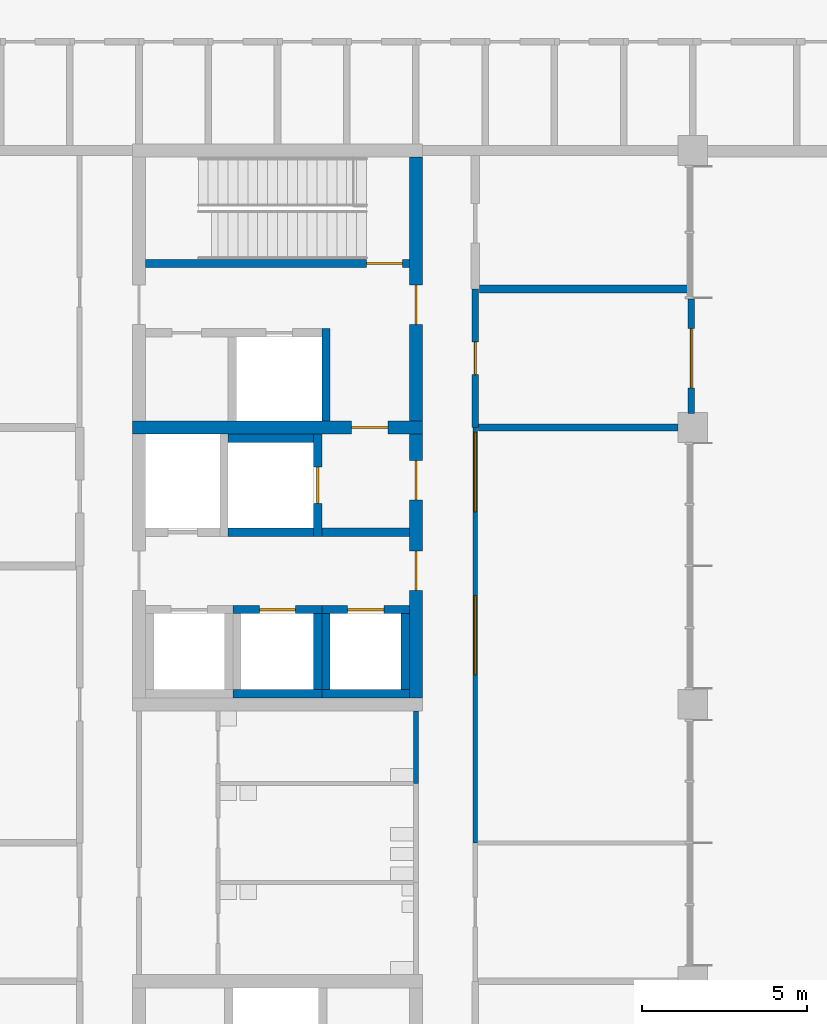
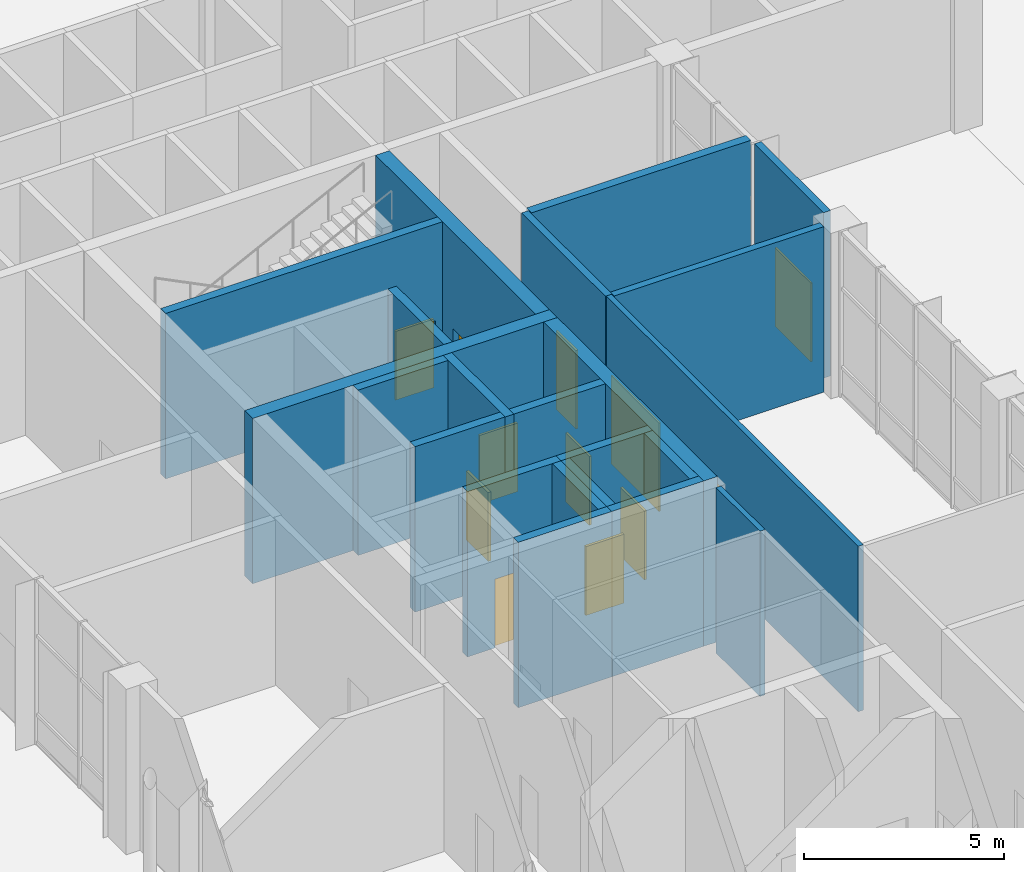
# One storey, part 43 of 76: 22 walls, 12 doors, 12 openings.
"""IFC4 building model written with IfcOpenShell, lengths in metres."""

from ifc_helpers import new_model, si_unit, direction, frame, frame_2d, origin, place, context, subcontext, project, spatial, rectangle, extrude, material, layer, layer_set, type_object, element, fill, save


model = new_model("IFC4")

# Units and contexts
model_context = context("Model", 3, precision=1e-05, world=origin(), true_north=direction((0.0, 1.0)))
body_context = subcontext(model_context, "Body", "Model", "MODEL_VIEW")
ifc_project = project(units=[si_unit("LENGTHUNIT", "METRE"), si_unit("AREAUNIT", "SQUARE_METRE"), si_unit("VOLUMEUNIT", "CUBIC_METRE"), si_unit("PLANEANGLEUNIT", "RADIAN"), si_unit("MASSUNIT", "GRAM", prefix="KILO")], contexts=[model_context])

# Site, building, storey
site_placement = place(None, origin())
site = spatial("IfcSite", under=ifc_project, at=site_placement, CompositionType="ELEMENT")
building_placement = place(site_placement, origin())
building = spatial("IfcBuilding", under=site, at=building_placement, Name="Hlaing Beacon Police Headquarters", CompositionType="ELEMENT")
storey_placement = place(building_placement, origin())
storey = spatial("IfcBuildingStorey", under=building, at=storey_placement, Name="L00", CompositionType="ELEMENT", Elevation=0.0)

# Wall, opening, door
ifc_material_1 = material(Name="Concrete C60/75", Category="concrete")
ifc_layer_1 = layer(ifc_material_1, 0.39990234375)
ifc_layer_set_1 = layer_set([ifc_layer_1], Name="Concrete C60/75")
wall_type_1 = type_object("IfcWallType", Name="Core shear wall 400", PredefinedType="SHEAR", material=ifc_layer_set_1)
wall_1_placement = place(storey_placement, frame((109.0, 58.800048828125, 0.0), z_axis=(0.0, 0.0, 1.0), x_axis=(1.0, 0.0, 0.0)))
wall_1 = element("IfcWall", 1, at=wall_1_placement, inside=storey, type_object=wall_type_1, Name="Core shear wall", PredefinedType="SHEAR", context=body_context, shape_type="SweptSolid", body=[
    extrude(rectangle(XDim=8.800048828125, YDim=0.39990234375, at=frame_2d((4.39990234375, 0.0))), origin(), (0.0, 0.0, 1.0), 5.050048828125),
])
opening_1_placement = place(wall_1_placement, frame((6.64990234375, 0.0, 0.0)))
opening_1 = element("IfcOpeningElement", 2, at=opening_1_placement, cuts=wall_1, Name="Opening L00-948", PredefinedType="OPENING", context=body_context, shape_type="SweptSolid", body=[
    extrude(rectangle(XDim=1.10009765625, YDim=2.10009765625, at=frame_2d((0.550048828125, 1.050048828125))), frame((0.0, 0.2099609375, 0.0), z_axis=(0.0, -1.0, 0.0), x_axis=(1.0, 0.0, 0.0)), (0.0, 0.0, 1.0), 0.419921875),
])
ifc_material_2 = material(Name="Steel fire door leaf", Category="steel")
ifc_layer_2 = layer(ifc_material_2, 0.070068359375)
ifc_layer_set_2 = layer_set([ifc_layer_2], Name="Steel fire door leaf")
door_type_1 = type_object("IfcDoorType", Name="Steel fire door FD60S 1100x2100", OperationType="SINGLE_SWING_LEFT", PredefinedType="DOOR", material=ifc_layer_set_2)
door_1_placement = place(opening_1_placement, origin())
door_1 = element("IfcDoor", 3, at=door_1_placement, inside=storey, type_object=door_type_1, Name="Door Firefighting Lobby Stair", OperationType="SINGLE_SWING_LEFT", OverallHeight=2.10009765625, OverallWidth=1.10009765625, PredefinedType="DOOR", context=body_context, shape_type="SweptSolid", body=[
    extrude(rectangle(XDim=1.10009765625, YDim=2.10009765625, at=frame_2d((0.550048828125, 1.050048828125))), frame((0.0, 0.03515625, 0.0), z_axis=(0.0, -1.0, 0.0), x_axis=(1.0, 0.0, 0.0)), (0.0, 0.0, 1.0), 0.070068359375),
])
fill(opening_1, door_1)

# Wall, openings, doors
wall_2_placement = place(storey_placement, frame((117.60009765625, 50.60009765625, 0.0), z_axis=(0.0, 0.0, 1.0), x_axis=(0.0, 1.0, 0.0)))
wall_2 = element("IfcWall", 4, at=wall_2_placement, inside=storey, type_object=wall_type_1, Name="Core shear wall", PredefinedType="SHEAR", context=body_context, shape_type="SweptSolid", body=[
    extrude(rectangle(XDim=8.0, YDim=0.39990234375, at=frame_2d((4.0, 0.0))), origin(), (0.0, 0.0, 1.0), 5.050048828125),
])
opening_2_placement = place(wall_2_placement, frame((3.25, 0.0, 0.0)))
opening_2 = element("IfcOpeningElement", 5, at=opening_2_placement, cuts=wall_2, Name="Opening L00-946", PredefinedType="OPENING", context=body_context, shape_type="SweptSolid", body=[
    extrude(rectangle(XDim=1.199951171875, YDim=2.10009765625, at=frame_2d((0.60009765625, 1.050048828125))), frame((0.0, 0.2099609375, 0.0), z_axis=(0.0, -1.0, 0.0), x_axis=(1.0, 0.0, 0.0)), (0.0, 0.0, 1.0), 0.419921875),
])
opening_3_placement = place(wall_2_placement, frame((6.0, 0.0, 0.0)))
opening_3 = element("IfcOpeningElement", 6, at=opening_3_placement, cuts=wall_2, Name="Opening L00-947", PredefinedType="OPENING", context=body_context, shape_type="SweptSolid", body=[
    extrude(rectangle(XDim=1.199951171875, YDim=2.10009765625, at=frame_2d((0.60009765625, 1.050048828125))), frame((0.0, 0.2099609375, 0.0), z_axis=(0.0, -1.0, 0.0), x_axis=(1.0, 0.0, 0.0)), (0.0, 0.0, 1.0), 0.419921875),
])
ifc_material_3 = material(Name="Steel fire door leaf", Category="steel")
ifc_layer_3 = layer(ifc_material_3, 0.070068359375)
ifc_layer_set_3 = layer_set([ifc_layer_3], Name="Steel fire door leaf")
door_type_2 = type_object("IfcDoorType", Name="Steel fire door FD60S 1200x2100", OperationType="SINGLE_SWING_LEFT", PredefinedType="DOOR", material=ifc_layer_set_3)
door_2_placement = place(opening_2_placement, origin())
door_2 = element("IfcDoor", 7, at=door_2_placement, inside=storey, type_object=door_type_2, Name="Door Lift Lobby Entry", OperationType="SINGLE_SWING_RIGHT", OverallHeight=2.10009765625, OverallWidth=1.199951171875, PredefinedType="DOOR", context=body_context, shape_type="SweptSolid", body=[
    extrude(rectangle(XDim=1.199951171875, YDim=2.10009765625, at=frame_2d((0.60009765625, 1.050048828125))), frame((0.0, 0.03515625, 0.0), z_axis=(0.0, -1.0, 0.0), x_axis=(1.0, 0.0, 0.0)), (0.0, 0.0, 1.0), 0.070068359375),
])
fill(opening_2, door_2)
door_3_placement = place(opening_3_placement, origin())
door_3 = element("IfcDoor", 8, at=door_3_placement, inside=storey, type_object=door_type_2, Name="Door Firefighting Lobby Entry", OperationType="SINGLE_SWING_LEFT", OverallHeight=2.10009765625, OverallWidth=1.199951171875, PredefinedType="DOOR", context=body_context, shape_type="SweptSolid", body=[
    extrude(rectangle(XDim=1.199951171875, YDim=2.10009765625, at=frame_2d((0.60009765625, 1.050048828125))), frame((0.0, 0.03515625, 0.0), z_axis=(0.0, -1.0, 0.0), x_axis=(1.0, 0.0, 0.0)), (0.0, 0.0, 1.0), 0.070068359375),
])
fill(opening_3, door_3)

# Wall, opening, door
wall_3_placement = place(storey_placement, frame((117.60009765625, 59.0, 0.0), z_axis=(0.0, 0.0, 1.0), x_axis=(0.0, 1.0, 0.0)))
wall_3 = element("IfcWall", 9, at=wall_3_placement, inside=storey, type_object=wall_type_1, Name="Core shear wall", PredefinedType="SHEAR", context=body_context, shape_type="SweptSolid", body=[
    extrude(rectangle(XDim=8.0, YDim=0.39990234375, at=frame_2d((4.0, 0.0))), origin(), (0.0, 0.0, 1.0), 5.050048828125),
])
opening_4_placement = place(wall_3_placement, frame((2.925048828125, 0.0, 0.0)))
opening_4 = element("IfcOpeningElement", 10, at=opening_4_placement, cuts=wall_3, Name="Opening L00-952", PredefinedType="OPENING", context=body_context, shape_type="SweptSolid", body=[
    extrude(rectangle(XDim=1.199951171875, YDim=2.10009765625, at=frame_2d((0.60009765625, 1.050048828125))), frame((0.0, 0.2099609375, 0.0), z_axis=(0.0, -1.0, 0.0), x_axis=(1.0, 0.0, 0.0)), (0.0, 0.0, 1.0), 0.419921875),
])
door_4_placement = place(opening_4_placement, origin())
door_4 = element("IfcDoor", 11, at=door_4_placement, inside=storey, type_object=door_type_2, Name="Door Stair Lobby ST-M Entry", OperationType="SINGLE_SWING_RIGHT", OverallHeight=2.10009765625, OverallWidth=1.199951171875, PredefinedType="DOOR", context=body_context, shape_type="SweptSolid", body=[
    extrude(rectangle(XDim=1.199951171875, YDim=2.10009765625, at=frame_2d((0.60009765625, 1.050048828125))), frame((0.0, 0.03515625, 0.0), z_axis=(0.0, -1.0, 0.0), x_axis=(1.0, 0.0, 0.0)), (0.0, 0.0, 1.0), 0.070068359375),
])
fill(opening_4, door_4)

# Wall, openings, doors
ifc_material_4 = material(Name="Gypsum board partition")
ifc_layer_4 = layer(ifc_material_4, 0.14990234375)
ifc_layer_set_4 = layer_set([ifc_layer_4], Name="Gypsum board partition")
wall_type_2 = type_object("IfcWallType", Name="Corridor wall EI 30 150", PredefinedType="PARTITIONING", material=ifc_layer_set_4)
wall_4_placement = place(storey_placement, frame((119.39990234375, 46.199951171875, 0.0), z_axis=(0.0, 0.0, 1.0), x_axis=(0.0, 1.0, 0.0)))
wall_4 = element("IfcWall", 12, at=wall_4_placement, inside=storey, type_object=wall_type_2, Name="Corridor wall EI 30 150", PredefinedType="PARTITIONING", context=body_context, shape_type="SweptSolid", body=[
    extrude(rectangle(XDim=12.60009765625, YDim=0.14990234375, at=frame_2d((6.300048828125, 0.0))), origin(), (0.0, 0.0, 1.0), 5.050048828125),
])
opening_5_placement = place(wall_4_placement, frame((5.10009765625, 0.0, 0.0)))
opening_5 = element("IfcOpeningElement", 13, at=opening_5_placement, cuts=wall_4, Name="Opening L00-050", PredefinedType="OPENING", context=body_context, shape_type="SweptSolid", body=[
    extrude(rectangle(XDim=2.39990234375, YDim=2.699951171875, at=frame_2d((1.199951171875, 1.35009765625))), frame((0.0, 0.0849609375, 0.0), z_axis=(0.0, -1.0, 0.0), x_axis=(1.0, 0.0, 0.0)), (0.0, 0.0, 1.0), 0.169921875),
])
opening_6_placement = place(wall_4_placement, frame((10.050048828125, 0.0, 0.0)))
opening_6 = element("IfcOpeningElement", 14, at=opening_6_placement, cuts=wall_4, Name="Opening L00-051", PredefinedType="OPENING", context=body_context, shape_type="SweptSolid", body=[
    extrude(rectangle(XDim=2.39990234375, YDim=2.699951171875, at=frame_2d((1.199951171875, 1.35009765625))), frame((0.0, 0.0849609375, 0.0), z_axis=(0.0, -1.0, 0.0), x_axis=(1.0, 0.0, 0.0)), (0.0, 0.0, 1.0), 0.169921875),
])
ifc_material_5 = material(Name="Hardwood door leaf", Category="wood")
ifc_layer_5 = layer(ifc_material_5, 0.050048828125)
ifc_layer_set_5 = layer_set([ifc_layer_5], Name="Hardwood door leaf")
door_type_3 = type_object("IfcDoorType", Name="Fire hall double door FD30S 2400x2700", OperationType="DOUBLE_DOOR_SINGLE_SWING", PredefinedType="DOOR", material=ifc_layer_set_5)
door_5_placement = place(opening_5_placement, origin())
door_5 = element("IfcDoor", 15, at=door_5_placement, inside=storey, type_object=door_type_3, Name="Door Muster and Briefing Hall", OperationType="DOUBLE_DOOR_SINGLE_SWING", OverallHeight=2.699951171875, OverallWidth=2.39990234375, PredefinedType="DOOR", context=body_context, shape_type="SweptSolid", body=[
    extrude(rectangle(XDim=2.39990234375, YDim=2.699951171875, at=frame_2d((1.199951171875, 1.35009765625))), frame((0.0, 0.02490234375, 0.0), z_axis=(0.0, -1.0, 0.0), x_axis=(1.0, 0.0, 0.0)), (0.0, 0.0, 1.0), 0.050048828125),
])
fill(opening_5, door_5)
door_6_placement = place(opening_6_placement, origin())
door_6 = element("IfcDoor", 16, at=door_6_placement, inside=storey, type_object=door_type_3, Name="Door Muster and Briefing Hall", OperationType="DOUBLE_DOOR_SINGLE_SWING", OverallHeight=2.699951171875, OverallWidth=2.39990234375, PredefinedType="DOOR", context=body_context, shape_type="SweptSolid", body=[
    extrude(rectangle(XDim=2.39990234375, YDim=2.699951171875, at=frame_2d((1.199951171875, 1.35009765625))), frame((0.0, 0.02490234375, 0.0), z_axis=(0.0, -1.0, 0.0), x_axis=(1.0, 0.0, 0.0)), (0.0, 0.0, 1.0), 0.050048828125),
])
fill(opening_6, door_6)

# Wall
wall_5_placement = place(storey_placement, frame((117.60009765625, 48.0, 0.0), z_axis=(0.0, 0.0, 1.0), x_axis=(0.0, 1.0, 0.0)))
element("IfcWall", 17, at=wall_5_placement, inside=storey, type_object=wall_type_2, Name="Corridor wall EI 30 150", PredefinedType="PARTITIONING", context=body_context, shape_type="SweptSolid", body=[
    extrude(rectangle(XDim=2.199951171875, YDim=0.14990234375, at=frame_2d((1.10009765625, 0.0))), origin(), (0.0, 0.0, 1.0), 5.050048828125),
])

# Wall, opening, door
ifc_material_6 = material(Name="Insulated aluminium cladding system", Category="aluminium")
ifc_layer_6 = layer(ifc_material_6, 0.199951171875)
ifc_layer_set_6 = layer_set([ifc_layer_6], Name="Insulated aluminium cladding system")
wall_type_3 = type_object("IfcWallType", Name="Insulated aluminium clad wall 200", PredefinedType="SOLIDWALL", material=ifc_layer_set_6)
wall_6_placement = place(storey_placement, frame((125.949951171875, 59.22998046875, 0.0), z_axis=(0.0, 0.0, 1.0), x_axis=(0.0, 1.0, 0.0)))
wall_6 = element("IfcWall", 18, at=wall_6_placement, inside=storey, type_object=wall_type_3, Name="External wall L00 E028", PredefinedType="SOLIDWALL", context=body_context, shape_type="SweptSolid", body=[
    extrude(rectangle(XDim=3.469970703125, YDim=0.199951171875, at=frame_2d((1.73486328125, 0.0))), origin(), (0.0, 0.0, 1.0), 5.050048828125),
])
opening_7_placement = place(wall_6_placement, frame((0.77001953125, 0.0, 0.0)))
opening_7 = element("IfcOpeningElement", 19, at=opening_7_placement, cuts=wall_6, Name="Opening L00-810", PredefinedType="OPENING", context=body_context, shape_type="SweptSolid", body=[
    extrude(rectangle(XDim=1.800048828125, YDim=2.39990234375, at=frame_2d((0.89990234375, 1.199951171875))), frame((0.0, 0.10986328125, 0.0), z_axis=(0.0, -1.0, 0.0), x_axis=(1.0, 0.0, 0.0)), (0.0, 0.0, 1.0), 0.219970703125),
])
ifc_material_7 = material(Name="Aluminium framed glazed door", Category="aluminium")
door_type_4 = type_object("IfcDoorType", Name="Entrance door 1800x2400 double", OperationType="DOUBLE_DOOR_DOUBLE_SWING", PredefinedType="DOOR", material=ifc_material_7)
door_7_placement = place(opening_7_placement, frame((1.800048828125, 0.0, 0.0), z_axis=(0.0, 0.0, 1.0), x_axis=(-1.0, 0.0, 0.0)))
door_7 = element("IfcDoor", 20, at=door_7_placement, inside=storey, type_object=door_type_4, Name="Door Exit Lobby ST-M", OperationType="DOUBLE_DOOR_DOUBLE_SWING", OverallHeight=2.39990234375, OverallWidth=1.800048828125, PredefinedType="DOOR", context=body_context, shape_type="SweptSolid", body=[
    extrude(rectangle(XDim=1.800048828125, YDim=2.39990234375, at=frame_2d((0.900146484375, 1.199951171875))), frame((0.0, 0.025146484375, 0.0), z_axis=(0.0, -1.0, 0.0), x_axis=(1.0, 0.0, 0.0)), (0.0, 0.0, 1.0), 0.050048828125),
])
fill(opening_7, door_7)

ifc_material_8 = material(Name="Concrete blockwork 7.5 N/mm2", Category="masonry")
ifc_layer_7 = layer(ifc_material_8, 0.199951171875)
ifc_layer_set_7 = layer_set([ifc_layer_7], Name="Concrete blockwork 7.5 N/mm2")
wall_type_4 = type_object("IfcWallType", Name="Lobby wall EI 120 200", PredefinedType="PARTITIONING", material=ifc_layer_set_7)
wall_7_placement = place(storey_placement, frame((119.39990234375, 58.800048828125, 0.0), z_axis=(0.0, 0.0, 1.0), x_axis=(0.0, 1.0, 0.0)))
wall_7 = element("IfcWall", 21, at=wall_7_placement, inside=storey, type_object=wall_type_4, Name="Lobby wall EI 120 200", PredefinedType="PARTITIONING", context=body_context, shape_type="SweptSolid", body=[
    extrude(rectangle(XDim=4.199951171875, YDim=0.199951171875, at=frame_2d((2.10009765625, 0.0))), origin(), (0.0, 0.0, 1.0), 5.050048828125),
])
opening_8_placement = place(wall_7_placement, frame((1.60009765625, 0.0, 0.0)))
opening_8 = element("IfcOpeningElement", 22, at=opening_8_placement, cuts=wall_7, Name="Opening L00-052", PredefinedType="OPENING", context=body_context, shape_type="SweptSolid", body=[
    extrude(rectangle(XDim=1.0, YDim=2.39990234375, at=frame_2d((0.5, 1.199951171875))), frame((0.0, 0.10986328125, 0.0), z_axis=(0.0, -1.0, 0.0), x_axis=(1.0, 0.0, 0.0)), (0.0, 0.0, 1.0), 0.219970703125),
])
ifc_material_9 = material(Name="Hardwood door leaf", Category="wood")
ifc_layer_8 = layer(ifc_material_9, 0.06005859375)
ifc_layer_set_8 = layer_set([ifc_layer_8], Name="Hardwood door leaf")
door_type_5 = type_object("IfcDoorType", Name="Fire public door FD60S 1000x2400", OperationType="SINGLE_SWING_LEFT", PredefinedType="DOOR", material=ifc_layer_set_8)
door_8_placement = place(opening_8_placement, frame((1.0, 0.0, 0.0), z_axis=(0.0, 0.0, 1.0), x_axis=(-1.0, 0.0, 0.0)))
door_8 = element("IfcDoor", 23, at=door_8_placement, inside=storey, type_object=door_type_5, Name="Door Exit Lobby ST-M", OperationType="SINGLE_SWING_RIGHT", OverallHeight=2.39990234375, OverallWidth=1.0, PredefinedType="DOOR", context=body_context, shape_type="SweptSolid", body=[
    extrude(rectangle(XDim=1.0, YDim=2.39990234375, at=frame_2d((0.5, 1.199951171875))), frame((0.0, 0.030029296875, 0.0), z_axis=(0.0, -1.0, 0.0), x_axis=(1.0, 0.0, 0.0)), (0.0, 0.0, 1.0), 0.06005859375),
])
fill(opening_8, door_8)

# Walls
wall_8_placement = place(storey_placement, frame((119.5, 58.800048828125, 0.0), z_axis=(0.0, 0.0, 1.0), x_axis=(1.0, 0.0, 0.0)))
element("IfcWall", 24, at=wall_8_placement, inside=storey, type_object=wall_type_4, Name="Lobby wall EI 120 200", PredefinedType="PARTITIONING", context=body_context, shape_type="SweptSolid", body=[
    extrude(rectangle(XDim=6.050048828125, YDim=0.199951171875, at=frame_2d((3.02490234375, 0.0))), origin(), (0.0, 0.0, 1.0), 5.050048828125),
])
ifc_material_10 = material(Name="Concrete blockwork 7.5 N/mm2", Category="masonry")
ifc_layer_9 = layer(ifc_material_10, 0.25)
ifc_layer_set_9 = layer_set([ifc_layer_9], Name="Concrete blockwork 7.5 N/mm2")
wall_type_5 = type_object("IfcWallType", Name="Plant room wall EI 120 250", PredefinedType="PARTITIONING", material=ifc_layer_set_9)
wall_9_placement = place(storey_placement, frame((119.52490234375, 63.0, 0.0), z_axis=(0.0, 0.0, 1.0), x_axis=(1.0, 0.0, 0.0)))
element("IfcWall", 25, at=wall_9_placement, inside=storey, type_object=wall_type_5, Name="Plant room wall EI 120 250", PredefinedType="PARTITIONING", context=body_context, shape_type="SweptSolid", body=[
    extrude(rectangle(XDim=6.3251953125, YDim=0.25, at=frame_2d((3.16259765625, 0.0))), origin(), (0.0, 0.0, 1.0), 5.050048828125),
])
ifc_material_11 = material(Name="Concrete C40/50", Category="concrete")
ifc_layer_10 = layer(ifc_material_11, 0.25)
ifc_layer_set_10 = layer_set([ifc_layer_10], Name="Concrete C40/50")
wall_type_6 = type_object("IfcWallType", Name="Shaft wall 250", PredefinedType="SOLIDWALL", material=ifc_layer_set_10)
wall_10_placement = place(storey_placement, frame((114.75, 55.625, 0.0), z_axis=(0.0, 0.0, 1.0), x_axis=(1.0, 0.0, 0.0)))
element("IfcWall", 26, at=wall_10_placement, inside=storey, type_object=wall_type_6, Name="Firefighting lobby wall", PredefinedType="SOLIDWALL", context=body_context, shape_type="SweptSolid", body=[
    extrude(rectangle(XDim=2.64990234375, YDim=0.25, at=frame_2d((1.324951171875, 0.0))), origin(), (0.0, 0.0, 1.0), 5.050048828125),
])

# Wall, opening, door
wall_11_placement = place(storey_placement, frame((117.39990234375, 63.77490234375, 0.0), z_axis=(0.0, 0.0, 1.0), x_axis=(-1.0, 0.0, 0.0)))
wall_11 = element("IfcWall", 27, at=wall_11_placement, inside=storey, type_object=wall_type_6, Name="Stair enclosure wall", PredefinedType="SOLIDWALL", context=body_context, shape_type="SweptSolid", body=[
    extrude(rectangle(XDim=8.0, YDim=0.25, at=frame_2d((4.0, 0.0))), origin(), (0.0, 0.0, 1.0), 5.050048828125),
])
opening_9_placement = place(wall_11_placement, frame((0.199951171875, 0.0, 0.0)))
opening_9 = element("IfcOpeningElement", 28, at=opening_9_placement, cuts=wall_11, Name="Opening L00-954", PredefinedType="OPENING", context=body_context, shape_type="SweptSolid", body=[
    extrude(rectangle(XDim=1.10009765625, YDim=2.10009765625, at=frame_2d((0.550048828125, 1.050048828125))), frame((0.0, 0.135009765625, 0.0), z_axis=(0.0, -1.0, 0.0), x_axis=(1.0, 0.0, 0.0)), (0.0, 0.0, 1.0), 0.27001953125),
])
ifc_material_12 = material(Name="Steel fire door leaf", Category="steel")
ifc_layer_11 = layer(ifc_material_12, 0.070068359375)
ifc_layer_set_11 = layer_set([ifc_layer_11], Name="Steel fire door leaf")
door_type_6 = type_object("IfcDoorType", Name="Steel fire door FD60 1100x2100", OperationType="SINGLE_SWING_LEFT", PredefinedType="DOOR", material=ifc_layer_set_11)
door_9_placement = place(opening_9_placement, frame((1.10009765625, 0.0, 0.0), z_axis=(0.0, 0.0, 1.0), x_axis=(-1.0, 0.0, 0.0)))
door_9 = element("IfcDoor", 29, at=door_9_placement, inside=storey, type_object=door_type_6, Name="Door Stair ST-M", OperationType="SINGLE_SWING_LEFT", OverallHeight=2.10009765625, OverallWidth=1.10009765625, PredefinedType="DOOR", context=body_context, shape_type="SweptSolid", body=[
    extrude(rectangle(XDim=1.10009765625, YDim=2.10009765625, at=frame_2d((0.550048828125, 1.050048828125))), frame((0.0, 0.034912109375, 0.0), z_axis=(0.0, -1.0, 0.0), x_axis=(1.0, 0.0, 0.0)), (0.0, 0.0, 1.0), 0.070068359375),
])
fill(opening_9, door_9)

# Wall
wall_12_placement = place(storey_placement, frame((114.875, 61.800048828125, 0.0), z_axis=(0.0, 0.0, 1.0), x_axis=(0.0, -1.0, 0.0)))
element("IfcWall", 30, at=wall_12_placement, inside=storey, type_object=wall_type_6, Name="Lobby wall", PredefinedType="SOLIDWALL", context=body_context, shape_type="SweptSolid", body=[
    extrude(rectangle(XDim=2.800048828125, YDim=0.25, at=frame_2d((1.39990234375, 0.0))), origin(), (0.0, 0.0, 1.0), 5.050048828125),
])

# Wall, opening, door
wall_13_placement = place(storey_placement, frame((114.625, 55.5, 0.0), z_axis=(0.0, 0.0, 1.0), x_axis=(0.0, 1.0, 0.0)))
wall_13 = element("IfcWall", 31, at=wall_13_placement, inside=storey, type_object=wall_type_6, Name="Lift shaft wall FL1", PredefinedType="SOLIDWALL", context=body_context, shape_type="SweptSolid", body=[
    extrude(rectangle(XDim=3.10009765625, YDim=0.25, at=frame_2d((1.550048828125, 0.0))), origin(), (0.0, 0.0, 1.0), 5.050048828125),
])
opening_10_placement = place(wall_13_placement, frame((1.0, 0.0, 0.0)))
opening_10 = element("IfcOpeningElement", 32, at=opening_10_placement, cuts=wall_13, Name="Opening LD-FL1-L00", PredefinedType="OPENING", context=body_context, shape_type="SweptSolid", body=[
    extrude(rectangle(XDim=1.10009765625, YDim=2.10009765625, at=frame_2d((0.550048828125, 1.050048828125))), frame((0.0, 0.135009765625, 0.0), z_axis=(0.0, -1.0, 0.0), x_axis=(1.0, 0.0, 0.0)), (0.0, 0.0, 1.0), 0.27001953125),
])
ifc_material_13 = material(Name="Stainless steel lift landing door", Category="steel")
ifc_layer_12 = layer(ifc_material_13, 0.06005859375)
ifc_layer_set_12 = layer_set([ifc_layer_12], Name="Stainless steel lift landing door")
door_type_7 = type_object("IfcDoorType", Name="Lift landing door 1100x2100", OperationType="DOUBLE_DOOR_SLIDING", PredefinedType="DOOR", material=ifc_layer_set_12)
door_10_placement = place(opening_10_placement, origin())
door_10 = element("IfcDoor", 33, at=door_10_placement, inside=storey, type_object=door_type_7, Name="Landing door FL1 L00", OperationType="DOUBLE_DOOR_SLIDING", OverallHeight=2.10009765625, OverallWidth=1.10009765625, PredefinedType="DOOR", context=body_context, shape_type="SweptSolid", body=[
    extrude(rectangle(XDim=1.10009765625, YDim=2.10009765625, at=frame_2d((0.550048828125, 1.050048828125))), frame((0.0, 0.0400390625, 0.0), z_axis=(0.0, -1.0, 0.0), x_axis=(1.0, 0.0, 0.0)), (0.0, 0.0, 1.0), 0.080078125),
])
fill(opening_10, door_10)

# Walls
for number, where, z_axis, x_axis, name in (
    (34, (111.89990234375, 58.47509765625, 0.0), (0.0, 0.0, 1.0), (1.0, 0.0, 0.0), "Lift shaft wall FL1"),
    (35, (111.89990234375, 55.625, 0.0), (0.0, 0.0, 1.0), (1.0, 0.0, 0.0), "Lift shaft wall FL1"),
):
    element("IfcWall", number, at=place(storey_placement, frame(where, z_axis=z_axis, x_axis=x_axis)), inside=storey, type_object=wall_type_6, Name=name, PredefinedType="SOLIDWALL", context=body_context, shape_type="SweptSolid", body=[
        extrude(rectangle(XDim=2.60009765625, YDim=0.25, at=frame_2d((1.300048828125, 0.0))), origin(), (0.0, 0.0, 1.0), 5.050048828125),
    ])
wall_14_placement = place(storey_placement, frame((114.625, 50.85009765625, 0.0), z_axis=(0.0, 0.0, 1.0), x_axis=(0.0, 1.0, 0.0)))
element("IfcWall", 36, at=wall_14_placement, inside=storey, type_object=wall_type_6, Name="Lift shaft wall PL8", PredefinedType="SOLIDWALL", context=body_context, shape_type="SweptSolid", body=[
    extrude(rectangle(XDim=2.2998046875, YDim=0.25, at=frame_2d((1.14990234375, 0.0))), origin(), (0.0, 0.0, 1.0), 5.050048828125),
])

# Wall, opening, door
wall_15_placement = place(storey_placement, frame((112.050048828125, 53.27490234375, 0.0), z_axis=(0.0, 0.0, 1.0), x_axis=(1.0, 0.0, 0.0)))
wall_15 = element("IfcWall", 37, at=wall_15_placement, inside=storey, type_object=wall_type_6, Name="Lift shaft wall PL8", PredefinedType="SOLIDWALL", context=body_context, shape_type="SweptSolid", body=[
    extrude(rectangle(XDim=2.699951171875, YDim=0.25, at=frame_2d((1.35009765625, 0.0))), origin(), (0.0, 0.0, 1.0), 5.050048828125),
])
opening_11_placement = place(wall_15_placement, frame((0.800048828125, 0.0, 0.0)))
opening_11 = element("IfcOpeningElement", 38, at=opening_11_placement, cuts=wall_15, Name="Opening LD-PL8-L00", PredefinedType="OPENING", context=body_context, shape_type="SweptSolid", body=[
    extrude(rectangle(XDim=1.10009765625, YDim=2.10009765625, at=frame_2d((0.550048828125, 1.050048828125))), frame((0.0, 0.135009765625, 0.0), z_axis=(0.0, -1.0, 0.0), x_axis=(1.0, 0.0, 0.0)), (0.0, 0.0, 1.0), 0.27001953125),
])
door_11_placement = place(opening_11_placement, origin())
door_11 = element("IfcDoor", 39, at=door_11_placement, inside=storey, type_object=door_type_7, Name="Landing door PL8 L00", OperationType="DOUBLE_DOOR_SLIDING", OverallHeight=2.10009765625, OverallWidth=1.10009765625, PredefinedType="DOOR", context=body_context, shape_type="SweptSolid", body=[
    extrude(rectangle(XDim=1.10009765625, YDim=2.10009765625, at=frame_2d((0.550048828125, 1.050048828125))), frame((0.0, 0.0400390625, 0.0), z_axis=(0.0, -1.0, 0.0), x_axis=(1.0, 0.0, 0.0)), (0.0, 0.0, 1.0), 0.080078125),
])
fill(opening_11, door_11)

# Walls
wall_16_placement = place(storey_placement, frame((112.050048828125, 50.72509765625, 0.0), z_axis=(0.0, 0.0, 1.0), x_axis=(1.0, 0.0, 0.0)))
element("IfcWall", 40, at=wall_16_placement, inside=storey, type_object=wall_type_6, Name="Lift shaft wall PL8", PredefinedType="SOLIDWALL", context=body_context, shape_type="SweptSolid", body=[
    extrude(rectangle(XDim=2.699951171875, YDim=0.25, at=frame_2d((1.35009765625, 0.0))), origin(), (0.0, 0.0, 1.0), 5.050048828125),
])
wall_17_placement = place(storey_placement, frame((117.27490234375, 50.85009765625, 0.0), z_axis=(0.0, 0.0, 1.0), x_axis=(0.0, 1.0, 0.0)))
element("IfcWall", 41, at=wall_17_placement, inside=storey, type_object=wall_type_6, Name="Lift shaft wall PL9", PredefinedType="SOLIDWALL", context=body_context, shape_type="SweptSolid", body=[
    extrude(rectangle(XDim=2.2998046875, YDim=0.25, at=frame_2d((1.14990234375, 0.0))), origin(), (0.0, 0.0, 1.0), 5.050048828125),
])

# Wall, opening, door
wall_18_placement = place(storey_placement, frame((114.75, 53.27490234375, 0.0), z_axis=(0.0, 0.0, 1.0), x_axis=(1.0, 0.0, 0.0)))
wall_18 = element("IfcWall", 42, at=wall_18_placement, inside=storey, type_object=wall_type_6, Name="Lift shaft wall PL9", PredefinedType="SOLIDWALL", context=body_context, shape_type="SweptSolid", body=[
    extrude(rectangle(XDim=2.64990234375, YDim=0.25, at=frame_2d((1.324951171875, 0.0))), origin(), (0.0, 0.0, 1.0), 5.050048828125),
])
opening_12_placement = place(wall_18_placement, frame((0.77490234375, 0.0, 0.0)))
opening_12 = element("IfcOpeningElement", 43, at=opening_12_placement, cuts=wall_18, Name="Opening LD-PL9-L00", PredefinedType="OPENING", context=body_context, shape_type="SweptSolid", body=[
    extrude(rectangle(XDim=1.10009765625, YDim=2.10009765625, at=frame_2d((0.550048828125, 1.050048828125))), frame((0.0, 0.135009765625, 0.0), z_axis=(0.0, -1.0, 0.0), x_axis=(1.0, 0.0, 0.0)), (0.0, 0.0, 1.0), 0.27001953125),
])
door_12_placement = place(opening_12_placement, origin())
door_12 = element("IfcDoor", 44, at=door_12_placement, inside=storey, type_object=door_type_7, Name="Landing door PL9 L00", OperationType="DOUBLE_DOOR_SLIDING", OverallHeight=2.10009765625, OverallWidth=1.10009765625, PredefinedType="DOOR", context=body_context, shape_type="SweptSolid", body=[
    extrude(rectangle(XDim=1.10009765625, YDim=2.10009765625, at=frame_2d((0.550048828125, 1.050048828125))), frame((0.0, 0.0400390625, 0.0), z_axis=(0.0, -1.0, 0.0), x_axis=(1.0, 0.0, 0.0)), (0.0, 0.0, 1.0), 0.080078125),
])
fill(opening_12, door_12)

# Walls
wall_19_placement = place(storey_placement, frame((114.75, 50.72509765625, 0.0), z_axis=(0.0, 0.0, 1.0), x_axis=(1.0, 0.0, 0.0)))
element("IfcWall", 45, at=wall_19_placement, inside=storey, type_object=wall_type_6, Name="Lift shaft wall PL9", PredefinedType="SOLIDWALL", context=body_context, shape_type="SweptSolid", body=[
    extrude(rectangle(XDim=2.64990234375, YDim=0.25, at=frame_2d((1.324951171875, 0.0))), origin(), (0.0, 0.0, 1.0), 5.050048828125),
])
wall_20_placement = place(storey_placement, frame((114.875, 50.85009765625, 0.0), z_axis=(0.0, 0.0, 1.0), x_axis=(0.0, 1.0, 0.0)))
element("IfcWall", 46, at=wall_20_placement, inside=storey, type_object=wall_type_6, Name="Lift shaft wall PL9", PredefinedType="SOLIDWALL", context=body_context, shape_type="SweptSolid", body=[
    extrude(rectangle(XDim=2.2998046875, YDim=0.25, at=frame_2d((1.14990234375, 0.0))), origin(), (0.0, 0.0, 1.0), 5.050048828125),
])

save(model, "model.ifc")
